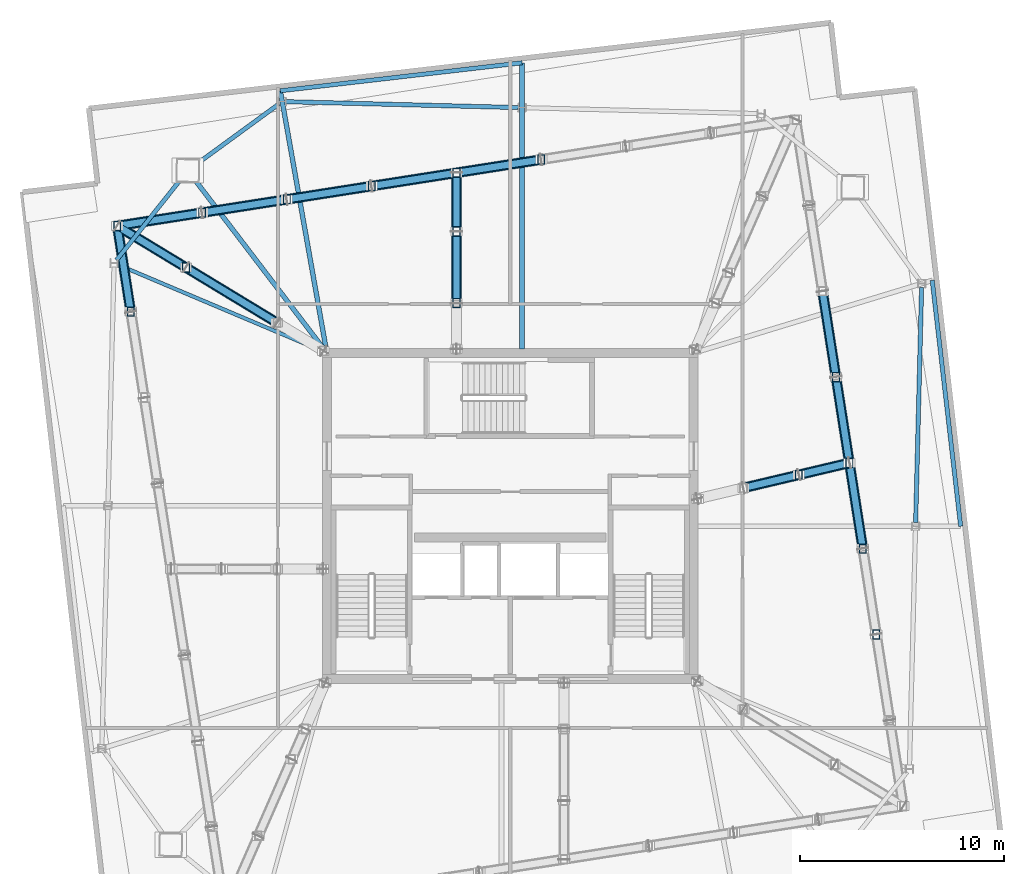
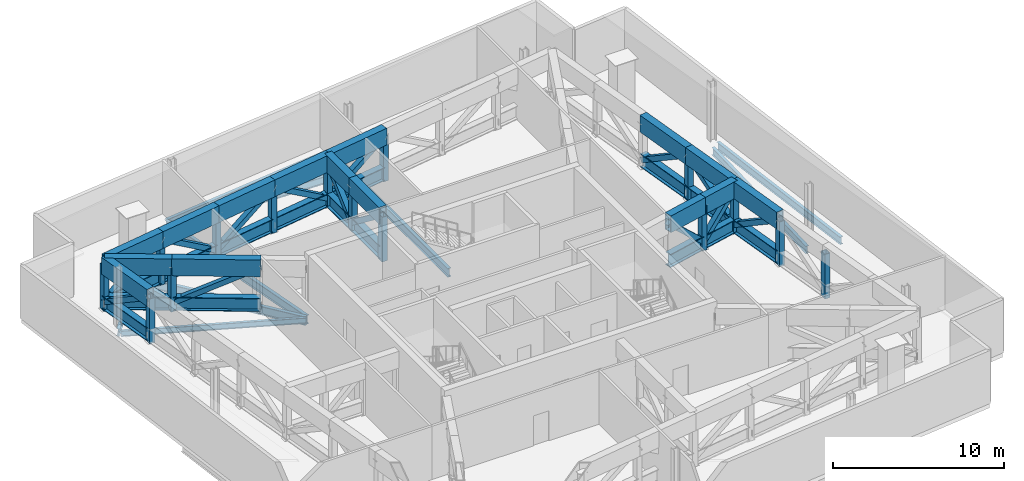
# One storey, part 3 of 13: 60 members, 10 beams.
"""IFC4 building model written with IfcOpenShell, lengths in metres."""

from ifc_helpers import new_model, si_unit, direction, frame, origin, origin_2d, place, context, subcontext, project, spatial, hollow_rectangle, i_section, extrude, material, material_profile, profile_set, type_object, element, save


model = new_model("IFC4")

# Units and contexts
model_context = context("Model", 3, precision=1e-05, world=origin(), true_north=direction((0.0, 1.0)))
body_context = subcontext(model_context, "Body", "Model", "MODEL_VIEW")
ifc_project = project(units=[si_unit("LENGTHUNIT", "METRE"), si_unit("AREAUNIT", "SQUARE_METRE"), si_unit("VOLUMEUNIT", "CUBIC_METRE"), si_unit("PLANEANGLEUNIT", "RADIAN"), si_unit("MASSUNIT", "GRAM", prefix="KILO")], contexts=[model_context])

# Site, building, storey
site_placement = place(None, origin())
site = spatial("IfcSite", under=ifc_project, at=site_placement, CompositionType="ELEMENT")
building_placement = place(site_placement, origin())
building = spatial("IfcBuilding", under=site, at=building_placement, Name="Haldenkirk Collegiate Tower", CompositionType="ELEMENT")
storey_placement = place(building_placement, frame((0.0, 0.0, 352.199951171875)))
storey = spatial("IfcBuildingStorey", under=building, at=storey_placement, Name="L89", CompositionType="ELEMENT", Elevation=352.199951171875)

# Beams
ifc_material_1 = material(Name="Steel ASTM A992 Grade 50", Category="steel")
ifc_material_profile_1 = material_profile(ifc_material_1, i_section(OverallWidth=0.22998046875, OverallDepth=0.616943359375, WebThickness=0.01318359375, FlangeThickness=0.022216796875, at=origin_2d()), Name="W24X94")
ifc_profile_set_1 = profile_set([ifc_material_profile_1], Name="Steel ASTM A992 Grade 50")
beam_type_1 = type_object("IfcBeamType", Name="BM-GIRDER-W24X94", PredefinedType="BEAM", material=ifc_profile_set_1)
beam_1_placement = place(storey_placement, frame((20.510498046875, 42.514404296875, -0.70849609375), z_axis=(0.606183308444, -0.79532496287, 0.0), x_axis=(0.79532496287, 0.606183308444, 0.0)))
element("IfcBeam", 1, at=beam_1_placement, inside=storey, type_object=beam_type_1, Name="L89 primary floor girder 03", PredefinedType="BEAM", context=body_context, shape_type="SweptSolid", body=[
    extrude(i_section(OverallWidth=0.22998046875, OverallDepth=0.616943359375, WebThickness=0.01318359375, FlangeThickness=0.022216796875, at=origin_2d()), origin(), (0.0, 0.0, 1.0), 10.50048828125),
])
beam_2_placement = place(storey_placement, frame((36.582275390625, 48.244384765625, -0.70849609375), z_axis=(0.0, -1.0, 0.0), x_axis=(1.0, 0.0, 0.0)))
element("IfcBeam", 2, at=beam_2_placement, inside=storey, type_object=beam_type_1, Name="L89 primary floor girder 09", PredefinedType="BEAM", context=body_context, shape_type="SweptSolid", body=[
    extrude(i_section(OverallWidth=0.22998046875, OverallDepth=0.616943359375, WebThickness=0.01318359375, FlangeThickness=0.022216796875, at=origin_2d()), origin(), (0.0, 0.0, 1.0), 14.039306640625),
])
beam_3_placement = place(storey_placement, frame((24.716796875, 46.871337890625, -0.70849609375), z_axis=(0.174654434819, -0.984629792561, 0.0), x_axis=(0.984629792561, 0.174654434819, 0.0)))
element("IfcBeam", 3, at=beam_3_placement, inside=storey, type_object=beam_type_1, Name="L89 primary floor girder 10", PredefinedType="BEAM", context=body_context, shape_type="SweptSolid", body=[
    extrude(i_section(OverallWidth=0.22998046875, OverallDepth=0.616943359375, WebThickness=0.01318359375, FlangeThickness=0.022216796875, at=origin_2d()), origin(), (0.0, 0.0, 1.0), 12.8671875),
])
ifc_material_profile_2 = material_profile(ifc_material_1, i_section(OverallWidth=0.177978515625, OverallDepth=0.406005859375, WebThickness=0.0078125, FlangeThickness=0.0126953125, at=origin_2d()), Name="W16X40")
ifc_profile_set_2 = profile_set([ifc_material_profile_2], Name="Steel ASTM A992 Grade 50")
beam_type_2 = type_object("IfcBeamType", Name="BM-JOIST-W16X40", PredefinedType="JOIST", material=ifc_profile_set_2)
beam_4_placement = place(storey_placement, frame((16.731201171875, 38.338623046875, -0.60302734375), z_axis=(0.92115928442, -0.389185781763, 0.0), x_axis=(0.389185781763, 0.92115928442, 0.0)))
element("IfcBeam", 4, at=beam_4_placement, inside=storey, type_object=beam_type_2, Name="L89 composite floor joist 11", PredefinedType="JOIST", context=body_context, shape_type="SweptSolid", body=[
    extrude(i_section(OverallWidth=0.177978515625, OverallDepth=0.406005859375, WebThickness=0.0078125, FlangeThickness=0.0126953125, at=origin_2d()), origin(), (0.0, 0.0, 1.0), 10.94287109375),
])
ifc_material_profile_3 = material_profile(ifc_material_1, i_section(OverallWidth=0.2099609375, OverallDepth=0.537109375, WebThickness=0.010986328125, FlangeThickness=0.017333984375, at=origin_2d()), Name="W21X68")
ifc_profile_set_3 = profile_set([ifc_material_profile_3], Name="Steel ASTM A992 Grade 50")
beam_type_3 = type_object("IfcBeamType", Name="BM-SPANDREL-W21X68", PredefinedType="SPANDREL", material=ifc_profile_set_3)
beam_5_placement = place(storey_placement, frame((55.8984375, 25.684326171875, -0.66845703125), z_axis=(0.025302458902, 0.999679841536, 0.0), x_axis=(-0.999679841536, 0.025302458902, 0.0)))
element("IfcBeam", 5, at=beam_5_placement, inside=storey, type_object=beam_type_3, Name="L89 perimeter spandrel beam 03", PredefinedType="SPANDREL", context=body_context, shape_type="SweptSolid", body=[
    extrude(i_section(OverallWidth=0.2099609375, OverallDepth=0.537109375, WebThickness=0.010986328125, FlangeThickness=0.017333984375, at=origin_2d()), origin(), (0.0, 0.0, 1.0), 11.5400390625),
])
beam_6_placement = place(storey_placement, frame((36.394287109375, 46.04638671875, -0.66845703125), z_axis=(-0.999680042221, 0.02529452876, 0.0), x_axis=(-0.02529452876, -0.999680042221, 0.0)))
element("IfcBeam", 6, at=beam_6_placement, inside=storey, type_object=beam_type_3, Name="L89 perimeter spandrel beam 07", PredefinedType="SPANDREL", context=body_context, shape_type="SweptSolid", body=[
    extrude(i_section(OverallWidth=0.2099609375, OverallDepth=0.537109375, WebThickness=0.010986328125, FlangeThickness=0.017333984375, at=origin_2d()), origin(), (0.0, 0.0, 1.0), 11.39892578125),
])
beam_7_placement = place(storey_placement, frame((24.6591796875, 46.228759765625, -0.66845703125), z_axis=(-0.807792834001, -0.589466485338, 0.0), x_axis=(0.589466485338, -0.807792834001, 0.0)))
element("IfcBeam", 7, at=beam_7_placement, inside=storey, type_object=beam_type_3, Name="L89 perimeter spandrel beam 08", PredefinedType="SPANDREL", context=body_context, shape_type="SweptSolid", body=[
    extrude(i_section(OverallWidth=0.2099609375, OverallDepth=0.537109375, WebThickness=0.010986328125, FlangeThickness=0.017333984375, at=origin_2d()), origin(), (0.0, 0.0, 1.0), 4.997314453125),
])
beam_8_placement = place(storey_placement, frame((19.828369140625, 42.521484375, -0.66845703125), z_axis=(-0.622694005585, -0.782465446783, 0.0), x_axis=(0.782465446783, -0.622694005585, 0.0)))
element("IfcBeam", 8, at=beam_8_placement, inside=storey, type_object=beam_type_3, Name="L89 perimeter spandrel beam 09", PredefinedType="SPANDREL", context=body_context, shape_type="SweptSolid", body=[
    extrude(i_section(OverallWidth=0.2099609375, OverallDepth=0.537109375, WebThickness=0.010986328125, FlangeThickness=0.017333984375, at=origin_2d()), origin(), (0.0, 0.0, 1.0), 5.06396484375),
])
beam_9_placement = place(storey_placement, frame((58.109375, 25.496337890625, -0.66845703125), z_axis=(-0.114933744755, 0.993373159652, 0.0), x_axis=(-0.993373159652, -0.114933744755, 0.0)))
element("IfcBeam", 9, at=beam_9_placement, inside=storey, type_object=beam_type_3, Name="L89 outer facade edge beam 1", PredefinedType="SPANDREL", context=body_context, shape_type="SweptSolid", body=[
    extrude(i_section(OverallWidth=0.2099609375, OverallDepth=0.537109375, WebThickness=0.010986328125, FlangeThickness=0.017333984375, at=origin_2d()), origin(), (0.0, 0.0, 1.0), 12.150390625),
])
beam_10_placement = place(storey_placement, frame((36.582275390625, 48.244384765625, -0.66845703125), z_axis=(-0.993371196258, -0.114950713108, 0.0), x_axis=(0.114950713108, -0.993371196258, 0.0)))
element("IfcBeam", 10, at=beam_10_placement, inside=storey, type_object=beam_type_3, Name="L89 outer facade edge beam 2", PredefinedType="SPANDREL", context=body_context, shape_type="SweptSolid", body=[
    extrude(i_section(OverallWidth=0.2099609375, OverallDepth=0.537109375, WebThickness=0.010986328125, FlangeThickness=0.017333984375, at=origin_2d()), origin(), (0.0, 0.0, 1.0), 11.944580078125),
])

# Members
ifc_material_2 = material(Name="Steel ASTM A572 Grade 50", Category="steel")
ifc_material_profile_4 = material_profile(ifc_material_2, hollow_rectangle(XDim=0.5, YDim=1.199951171875, WallThickness=0.050048828125, at=origin_2d()), Name="BOX1200X500X50")
ifc_profile_set_4 = profile_set([ifc_material_profile_4], Name="Steel ASTM A572 Grade 50")
member_type_1 = type_object("IfcMemberType", Name="MBR-CHORD-BOX1200", PredefinedType="CHORD", material=ifc_profile_set_4)
member_1_placement = place(storey_placement, frame((47.449951171875, 27.37890625, 3.199951171875), z_axis=(0.973193880048, 0.229986242711, 0.0), x_axis=(-0.229986242711, 0.973193880048, 0.0)))
element("IfcMember", 11, at=member_1_placement, inside=storey, type_object=member_type_1, Name="Outrigger Truss L89-2 top chord 2", PredefinedType="CHORD", context=body_context, shape_type="SweptSolid", body=[
    extrude(hollow_rectangle(XDim=0.5, YDim=1.199951171875, WallThickness=0.050048828125, at=origin_2d()), origin(), (0.0, 0.0, 1.0), 2.78759765625),
])
member_2_placement = place(storey_placement, frame((50.162841796875, 28.02001953125, 3.199951171875), z_axis=(0.973211075928, 0.229913465658, 0.0), x_axis=(-0.229913465658, 0.973211075928, 0.0)))
element("IfcMember", 12, at=member_2_placement, inside=storey, type_object=member_type_1, Name="Outrigger Truss L89-2 top chord 3", PredefinedType="CHORD", context=body_context, shape_type="SweptSolid", body=[
    extrude(hollow_rectangle(XDim=0.5, YDim=1.199951171875, WallThickness=0.050048828125, at=origin_2d()), origin(), (0.0, 0.0, 1.0), 2.552734375),
])
member_3_placement = place(storey_placement, frame((33.3623046875, 36.449951171875, 3.199951171875), z_axis=(0.0, 1.0, 0.0), x_axis=(-1.0, 0.0, 0.0)))
element("IfcMember", 13, at=member_3_placement, inside=storey, type_object=member_type_1, Name="Outrigger Truss L89-4 top chord 2", PredefinedType="CHORD", context=body_context, shape_type="SweptSolid", body=[
    extrude(hollow_rectangle(XDim=0.5, YDim=1.199951171875, WallThickness=0.050048828125, at=origin_2d()), origin(), (0.0, 0.0, 1.0), 3.51318359375),
])
member_4_placement = place(storey_placement, frame((33.3623046875, 39.963134765625, 3.199951171875), z_axis=(0.0, 1.0, 0.0), x_axis=(-1.0, 0.0, 0.0)))
element("IfcMember", 14, at=member_4_placement, inside=storey, type_object=member_type_1, Name="Outrigger Truss L89-4 top chord 3", PredefinedType="CHORD", context=body_context, shape_type="SweptSolid", body=[
    extrude(hollow_rectangle(XDim=0.5, YDim=1.199951171875, WallThickness=0.050048828125, at=origin_2d()), origin(), (0.0, 0.0, 1.0), 2.881591796875),
])
member_5_placement = place(storey_placement, frame((24.550048828125, 35.48583984375, 3.199951171875), z_axis=(-0.855023784743, 0.51858878461, 0.0), x_axis=(-0.51858878461, -0.855023784743, 0.0)))
element("IfcMember", 15, at=member_5_placement, inside=storey, type_object=member_type_1, Name="Outrigger Truss L89-5 top chord 2", PredefinedType="CHORD", context=body_context, shape_type="SweptSolid", body=[
    extrude(hollow_rectangle(XDim=0.5, YDim=1.199951171875, WallThickness=0.050048828125, at=origin_2d()), origin(), (0.0, 0.0, 1.0), 5.220458984375),
])
member_6_placement = place(storey_placement, frame((20.08642578125, 38.193115234375, 3.199951171875), z_axis=(-0.85503561171, 0.518569284385, 0.0), x_axis=(-0.518569284385, -0.85503561171, 0.0)))
element("IfcMember", 16, at=member_6_placement, inside=storey, type_object=member_type_1, Name="Outrigger Truss L89-5 top chord 3", PredefinedType="CHORD", context=body_context, shape_type="SweptSolid", body=[
    extrude(hollow_rectangle(XDim=0.5, YDim=1.199951171875, WallThickness=0.050048828125, at=origin_2d()), origin(), (0.0, 0.0, 1.0), 3.94287109375),
])
for number, where, z_axis, x_axis, name in (
    (17, (53.306640625, 24.395751953125, 3.199951171875), (-0.154703604037, 0.987960927819, 0.0), (-0.987960927819, -0.154703604037, 0.0), "Belt Truss L89-1 top chord 4"),
    (18, (52.647216796875, 28.60693359375, 3.199951171875), (-0.154703604037, 0.987960927819, 0.0), (-0.987960927819, -0.154703604037, 0.0), "Belt Truss L89-2 top chord 1"),
    (19, (51.98779296875, 32.818115234375, 3.199951171875), (-0.154759508904, 0.987952172124, 0.0), (-0.987952172124, -0.154759508904, 0.0), "Belt Truss L89-2 top chord 2"),
):
    element("IfcMember", number, at=place(storey_placement, frame(where, z_axis=z_axis, x_axis=x_axis)), inside=storey, type_object=member_type_1, Name=name, PredefinedType="CHORD", context=body_context, shape_type="SweptSolid", body=[
        extrude(hollow_rectangle(XDim=0.5, YDim=1.199951171875, WallThickness=0.050048828125, at=origin_2d()), origin(), (0.0, 0.0, 1.0), 4.262451171875),
    ])
member_7_placement = place(storey_placement, frame((37.52392578125, 43.496337890625, 3.199951171875), z_axis=(-0.987962809958, -0.154691583936, 0.0), x_axis=(0.154691583936, -0.987962809958, 0.0)))
element("IfcMember", 20, at=member_7_placement, inside=storey, type_object=member_type_1, Name="Belt Truss L89-3 top chord 4", PredefinedType="CHORD", context=body_context, shape_type="SweptSolid", body=[
    extrude(hollow_rectangle(XDim=0.5, YDim=1.199951171875, WallThickness=0.050048828125, at=origin_2d()), origin(), (0.0, 0.0, 1.0), 4.21240234375),
])
member_8_placement = place(storey_placement, frame((33.3623046875, 42.8447265625, 3.199951171875), z_axis=(-0.987964196759, -0.154682726647, 0.0), x_axis=(0.154682726647, -0.987964196759, 0.0)))
element("IfcMember", 21, at=member_8_placement, inside=storey, type_object=member_type_1, Name="Belt Truss L89-4 top chord 1", PredefinedType="CHORD", context=body_context, shape_type="SweptSolid", body=[
    extrude(hollow_rectangle(XDim=0.5, YDim=1.199951171875, WallThickness=0.050048828125, at=origin_2d()), origin(), (0.0, 0.0, 1.0), 4.212646484375),
])
member_9_placement = place(storey_placement, frame((29.200439453125, 42.193115234375, 3.199951171875), z_axis=(-0.987953950627, -0.154748154885, 0.0), x_axis=(0.154748154885, -0.987953950627, 0.0)))
element("IfcMember", 22, at=member_9_placement, inside=storey, type_object=member_type_1, Name="Belt Truss L89-4 top chord 2", PredefinedType="CHORD", context=body_context, shape_type="SweptSolid", body=[
    extrude(hollow_rectangle(XDim=0.5, YDim=1.199951171875, WallThickness=0.050048828125, at=origin_2d()), origin(), (0.0, 0.0, 1.0), 4.21240234375),
])
for number, where, z_axis, x_axis, name in (
    (23, (25.038818359375, 41.541259765625, 3.199951171875), (-0.98795533843, -0.154739294516, 0.0), (0.154739294516, -0.98795533843, 0.0), "Belt Truss L89-4 top chord 3"),
    (24, (20.876953125, 40.889404296875, 3.199951171875), (-0.987964196759, -0.154682726647, 0.0), (0.154682726647, -0.987964196759, 0.0), "Belt Truss L89-4 top chord 4"),
):
    element("IfcMember", number, at=place(storey_placement, frame(where, z_axis=z_axis, x_axis=x_axis)), inside=storey, type_object=member_type_1, Name=name, PredefinedType="CHORD", context=body_context, shape_type="SweptSolid", body=[
        extrude(hollow_rectangle(XDim=0.5, YDim=1.199951171875, WallThickness=0.050048828125, at=origin_2d()), origin(), (0.0, 0.0, 1.0), 4.212646484375),
    ])
member_10_placement = place(storey_placement, frame((16.715087890625, 40.23779296875, 3.199951171875), z_axis=(0.154703604037, -0.987960927819, 0.0), x_axis=(0.987960927819, 0.154703604037, 0.0)))
element("IfcMember", 25, at=member_10_placement, inside=storey, type_object=member_type_1, Name="Belt Truss L89-5 top chord 1", PredefinedType="CHORD", context=body_context, shape_type="SweptSolid", body=[
    extrude(hollow_rectangle(XDim=0.5, YDim=1.199951171875, WallThickness=0.050048828125, at=origin_2d()), origin(), (0.0, 0.0, 1.0), 4.262451171875),
])
ifc_material_3 = material(Name="Steel ASTM A913 Grade 65", Category="steel")
ifc_material_profile_5 = material_profile(ifc_material_3, i_section(OverallWidth=0.423095703125, OverallDepth=0.947998046875, WebThickness=0.02392578125, FlangeThickness=0.042724609375, at=origin_2d()), Name="W36X302")
ifc_profile_set_5 = profile_set([ifc_material_profile_5], Name="Steel ASTM A913 Grade 65")
member_type_2 = type_object("IfcMemberType", Name="MBR-CHORD-W36X302", PredefinedType="CHORD", material=ifc_profile_set_5)
member_11_placement = place(storey_placement, frame((47.449951171875, 27.37890625, 0.550048828125), z_axis=(0.973193880048, 0.229986242711, 0.0), x_axis=(-0.229986242711, 0.973193880048, 0.0)))
element("IfcMember", 26, at=member_11_placement, inside=storey, type_object=member_type_2, Name="Outrigger Truss L89-2 bottom chord 2", PredefinedType="CHORD", context=body_context, shape_type="SweptSolid", body=[
    extrude(i_section(OverallWidth=0.423095703125, OverallDepth=0.947998046875, WebThickness=0.02392578125, FlangeThickness=0.042724609375, at=origin_2d()), origin(), (0.0, 0.0, 1.0), 2.78759765625),
])
member_12_placement = place(storey_placement, frame((50.162841796875, 28.02001953125, 0.550048828125), z_axis=(0.973211075928, 0.229913465658, 0.0), x_axis=(-0.229913465658, 0.973211075928, 0.0)))
element("IfcMember", 27, at=member_12_placement, inside=storey, type_object=member_type_2, Name="Outrigger Truss L89-2 bottom chord 3", PredefinedType="CHORD", context=body_context, shape_type="SweptSolid", body=[
    extrude(i_section(OverallWidth=0.423095703125, OverallDepth=0.947998046875, WebThickness=0.02392578125, FlangeThickness=0.042724609375, at=origin_2d()), origin(), (0.0, 0.0, 1.0), 2.552734375),
])
member_13_placement = place(storey_placement, frame((33.3623046875, 36.449951171875, 0.550048828125), z_axis=(0.0, 1.0, 0.0), x_axis=(-1.0, 0.0, 0.0)))
element("IfcMember", 28, at=member_13_placement, inside=storey, type_object=member_type_2, Name="Outrigger Truss L89-4 bottom chord 2", PredefinedType="CHORD", context=body_context, shape_type="SweptSolid", body=[
    extrude(i_section(OverallWidth=0.423095703125, OverallDepth=0.947998046875, WebThickness=0.02392578125, FlangeThickness=0.042724609375, at=origin_2d()), origin(), (0.0, 0.0, 1.0), 3.51318359375),
])
member_14_placement = place(storey_placement, frame((33.3623046875, 39.963134765625, 0.550048828125), z_axis=(0.0, 1.0, 0.0), x_axis=(-1.0, 0.0, 0.0)))
element("IfcMember", 29, at=member_14_placement, inside=storey, type_object=member_type_2, Name="Outrigger Truss L89-4 bottom chord 3", PredefinedType="CHORD", context=body_context, shape_type="SweptSolid", body=[
    extrude(i_section(OverallWidth=0.423095703125, OverallDepth=0.947998046875, WebThickness=0.02392578125, FlangeThickness=0.042724609375, at=origin_2d()), origin(), (0.0, 0.0, 1.0), 2.881591796875),
])
member_15_placement = place(storey_placement, frame((24.550048828125, 35.48583984375, 0.550048828125), z_axis=(-0.855023784743, 0.51858878461, 0.0), x_axis=(-0.51858878461, -0.855023784743, 0.0)))
element("IfcMember", 30, at=member_15_placement, inside=storey, type_object=member_type_2, Name="Outrigger Truss L89-5 bottom chord 2", PredefinedType="CHORD", context=body_context, shape_type="SweptSolid", body=[
    extrude(i_section(OverallWidth=0.423095703125, OverallDepth=0.947998046875, WebThickness=0.02392578125, FlangeThickness=0.042724609375, at=origin_2d()), origin(), (0.0, 0.0, 1.0), 5.220458984375),
])
member_16_placement = place(storey_placement, frame((20.08642578125, 38.193115234375, 0.550048828125), z_axis=(-0.85503561171, 0.518569284385, 0.0), x_axis=(-0.518569284385, -0.85503561171, 0.0)))
element("IfcMember", 31, at=member_16_placement, inside=storey, type_object=member_type_2, Name="Outrigger Truss L89-5 bottom chord 3", PredefinedType="CHORD", context=body_context, shape_type="SweptSolid", body=[
    extrude(i_section(OverallWidth=0.423095703125, OverallDepth=0.947998046875, WebThickness=0.02392578125, FlangeThickness=0.042724609375, at=origin_2d()), origin(), (0.0, 0.0, 1.0), 3.94287109375),
])
for number, where, z_axis, x_axis, name in (
    (32, (53.306640625, 24.395751953125, 0.550048828125), (-0.154703604037, 0.987960927819, 0.0), (-0.987960927819, -0.154703604037, 0.0), "Belt Truss L89-1 bottom chord 4"),
    (33, (52.647216796875, 28.60693359375, 0.550048828125), (-0.154703604037, 0.987960927819, 0.0), (-0.987960927819, -0.154703604037, 0.0), "Belt Truss L89-2 bottom chord 1"),
    (34, (51.98779296875, 32.818115234375, 0.550048828125), (-0.154759508904, 0.987952172124, 0.0), (-0.987952172124, -0.154759508904, 0.0), "Belt Truss L89-2 bottom chord 2"),
):
    element("IfcMember", number, at=place(storey_placement, frame(where, z_axis=z_axis, x_axis=x_axis)), inside=storey, type_object=member_type_2, Name=name, PredefinedType="CHORD", context=body_context, shape_type="SweptSolid", body=[
        extrude(i_section(OverallWidth=0.423095703125, OverallDepth=0.947998046875, WebThickness=0.02392578125, FlangeThickness=0.042724609375, at=origin_2d()), origin(), (0.0, 0.0, 1.0), 4.262451171875),
    ])
member_17_placement = place(storey_placement, frame((37.52392578125, 43.496337890625, 0.550048828125), z_axis=(-0.987962809958, -0.154691583936, 0.0), x_axis=(0.154691583936, -0.987962809958, 0.0)))
element("IfcMember", 35, at=member_17_placement, inside=storey, type_object=member_type_2, Name="Belt Truss L89-3 bottom chord 4", PredefinedType="CHORD", context=body_context, shape_type="SweptSolid", body=[
    extrude(i_section(OverallWidth=0.423095703125, OverallDepth=0.947998046875, WebThickness=0.02392578125, FlangeThickness=0.042724609375, at=origin_2d()), origin(), (0.0, 0.0, 1.0), 4.21240234375),
])
member_18_placement = place(storey_placement, frame((33.3623046875, 42.8447265625, 0.550048828125), z_axis=(-0.987964196759, -0.154682726647, 0.0), x_axis=(0.154682726647, -0.987964196759, 0.0)))
element("IfcMember", 36, at=member_18_placement, inside=storey, type_object=member_type_2, Name="Belt Truss L89-4 bottom chord 1", PredefinedType="CHORD", context=body_context, shape_type="SweptSolid", body=[
    extrude(i_section(OverallWidth=0.423095703125, OverallDepth=0.947998046875, WebThickness=0.02392578125, FlangeThickness=0.042724609375, at=origin_2d()), origin(), (0.0, 0.0, 1.0), 4.212646484375),
])
member_19_placement = place(storey_placement, frame((29.200439453125, 42.193115234375, 0.550048828125), z_axis=(-0.987953950627, -0.154748154885, 0.0), x_axis=(0.154748154885, -0.987953950627, 0.0)))
element("IfcMember", 37, at=member_19_placement, inside=storey, type_object=member_type_2, Name="Belt Truss L89-4 bottom chord 2", PredefinedType="CHORD", context=body_context, shape_type="SweptSolid", body=[
    extrude(i_section(OverallWidth=0.423095703125, OverallDepth=0.947998046875, WebThickness=0.02392578125, FlangeThickness=0.042724609375, at=origin_2d()), origin(), (0.0, 0.0, 1.0), 4.21240234375),
])
for number, where, z_axis, x_axis, name in (
    (38, (25.038818359375, 41.541259765625, 0.550048828125), (-0.98795533843, -0.154739294516, 0.0), (0.154739294516, -0.98795533843, 0.0), "Belt Truss L89-4 bottom chord 3"),
    (39, (20.876953125, 40.889404296875, 0.550048828125), (-0.987964196759, -0.154682726647, 0.0), (0.154682726647, -0.987964196759, 0.0), "Belt Truss L89-4 bottom chord 4"),
):
    element("IfcMember", number, at=place(storey_placement, frame(where, z_axis=z_axis, x_axis=x_axis)), inside=storey, type_object=member_type_2, Name=name, PredefinedType="CHORD", context=body_context, shape_type="SweptSolid", body=[
        extrude(i_section(OverallWidth=0.423095703125, OverallDepth=0.947998046875, WebThickness=0.02392578125, FlangeThickness=0.042724609375, at=origin_2d()), origin(), (0.0, 0.0, 1.0), 4.212646484375),
    ])
member_20_placement = place(storey_placement, frame((16.715087890625, 40.23779296875, 0.550048828125), z_axis=(0.154703604037, -0.987960927819, 0.0), x_axis=(0.987960927819, 0.154703604037, 0.0)))
element("IfcMember", 40, at=member_20_placement, inside=storey, type_object=member_type_2, Name="Belt Truss L89-5 bottom chord 1", PredefinedType="CHORD", context=body_context, shape_type="SweptSolid", body=[
    extrude(i_section(OverallWidth=0.423095703125, OverallDepth=0.947998046875, WebThickness=0.02392578125, FlangeThickness=0.042724609375, at=origin_2d()), origin(), (0.0, 0.0, 1.0), 4.262451171875),
])
ifc_material_profile_6 = material_profile(ifc_material_2, hollow_rectangle(XDim=0.35009765625, YDim=0.35009765625, WallThickness=0.01611328125, at=origin_2d()), Name="HSS350X350X16")
ifc_profile_set_6 = profile_set([ifc_material_profile_6], Name="Steel ASTM A572 Grade 50")
member_type_3 = type_object("IfcMemberType", Name="MBR-TRUSSDIAG-HSS350X350X16", PredefinedType="BRACE", material=ifc_profile_set_6)
member_21_placement = place(storey_placement, frame((47.449951171875, 27.37890625, 3.199951171875), z_axis=(0.705354308849, 0.166690102145, -0.688977291959), x_axis=(-0.229986242711, 0.973193880048, 0.0)))
element("IfcMember", 41, at=member_21_placement, inside=storey, type_object=member_type_3, Name="Outrigger Truss L89-2 web diagonal 2", PredefinedType="BRACE", context=body_context, shape_type="SweptSolid", body=[
    extrude(hollow_rectangle(XDim=0.35009765625, YDim=0.35009765625, WallThickness=0.01611328125, at=origin_2d()), origin(), (0.0, 0.0, 1.0), 3.84619140625),
])
member_22_placement = place(storey_placement, frame((50.162841796875, 28.02001953125, 0.550048828125), z_axis=(0.675197394813, 0.159510076369, 0.72018401369), x_axis=(-0.229913465658, 0.973211075928, 0.0)))
element("IfcMember", 42, at=member_22_placement, inside=storey, type_object=member_type_3, Name="Outrigger Truss L89-2 web diagonal 3", PredefinedType="BRACE", context=body_context, shape_type="SweptSolid", body=[
    extrude(hollow_rectangle(XDim=0.35009765625, YDim=0.35009765625, WallThickness=0.01611328125, at=origin_2d()), origin(), (0.0, 0.0, 1.0), 3.679443359375),
])
member_23_placement = place(storey_placement, frame((33.3623046875, 36.449951171875, 3.199951171875), z_axis=(0.0, 0.798359245861, -0.602181463139), x_axis=(-1.0, 0.0, 0.0)))
element("IfcMember", 43, at=member_23_placement, inside=storey, type_object=member_type_3, Name="Outrigger Truss L89-4 web diagonal 2", PredefinedType="BRACE", context=body_context, shape_type="SweptSolid", body=[
    extrude(hollow_rectangle(XDim=0.35009765625, YDim=0.35009765625, WallThickness=0.01611328125, at=origin_2d()), origin(), (0.0, 0.0, 1.0), 4.400390625),
])
member_24_placement = place(storey_placement, frame((33.3623046875, 39.963134765625, 0.550048828125), z_axis=(0.0, 0.736078905364, 0.676895741661), x_axis=(-1.0, 0.0, 0.0)))
element("IfcMember", 44, at=member_24_placement, inside=storey, type_object=member_type_3, Name="Outrigger Truss L89-4 web diagonal 3", PredefinedType="BRACE", context=body_context, shape_type="SweptSolid", body=[
    extrude(hollow_rectangle(XDim=0.35009765625, YDim=0.35009765625, WallThickness=0.01611328125, at=origin_2d()), origin(), (0.0, 0.0, 1.0), 3.914794921875),
])
member_25_placement = place(storey_placement, frame((24.550048828125, 35.48583984375, 3.199951171875), z_axis=(-0.762425082783, 0.462425846031, -0.452626037769), x_axis=(-0.51858878461, -0.855023784743, 0.0)))
element("IfcMember", 45, at=member_25_placement, inside=storey, type_object=member_type_3, Name="Outrigger Truss L89-5 web diagonal 2", PredefinedType="BRACE", context=body_context, shape_type="SweptSolid", body=[
    extrude(hollow_rectangle(XDim=0.35009765625, YDim=0.35009765625, WallThickness=0.01611328125, at=origin_2d()), origin(), (0.0, 0.0, 1.0), 5.8544921875),
])
member_26_placement = place(storey_placement, frame((20.08642578125, 38.193115234375, 0.550048828125), z_axis=(-0.709659284212, 0.43040021039, 0.557798672666), x_axis=(-0.518569284385, -0.85503561171, 0.0)))
element("IfcMember", 46, at=member_26_placement, inside=storey, type_object=member_type_3, Name="Outrigger Truss L89-5 web diagonal 3", PredefinedType="BRACE", context=body_context, shape_type="SweptSolid", body=[
    extrude(hollow_rectangle(XDim=0.35009765625, YDim=0.35009765625, WallThickness=0.01611328125, at=origin_2d()), origin(), (0.0, 0.0, 1.0), 4.750732421875),
])
for number, where, z_axis, x_axis, name in (
    (47, (53.306640625, 24.395751953125, 3.199951171875), (-0.131384165452, 0.83903941869, -0.527968801117), (-0.987960927819, -0.154703604037, 0.0), "Belt Truss L89-1 web diagonal 4"),
    (48, (52.647216796875, 28.60693359375, 0.550048828125), (-0.131384165452, 0.83903941869, 0.527968801117), (-0.987960927819, -0.154703604037, 0.0), "Belt Truss L89-2 web diagonal 1"),
    (49, (51.98779296875, 32.818115234375, 3.199951171875), (-0.131431968118, 0.839034055539, -0.527965426333), (-0.987952172124, -0.154759508904, 0.0), "Belt Truss L89-2 web diagonal 2"),
):
    element("IfcMember", number, at=place(storey_placement, frame(where, z_axis=z_axis, x_axis=x_axis)), inside=storey, type_object=member_type_3, Name=name, PredefinedType="BRACE", context=body_context, shape_type="SweptSolid", body=[
        extrude(hollow_rectangle(XDim=0.35009765625, YDim=0.35009765625, WallThickness=0.01611328125, at=origin_2d()), origin(), (0.0, 0.0, 1.0), 5.01904296875),
    ])
member_27_placement = place(storey_placement, frame((37.52392578125, 43.496337890625, 3.199951171875), z_axis=(-0.836252629414, -0.130937361722, -0.532481874907), x_axis=(0.154691583936, -0.987962809958, 0.0)))
element("IfcMember", 50, at=member_27_placement, inside=storey, type_object=member_type_3, Name="Belt Truss L89-3 web diagonal 4", PredefinedType="BRACE", context=body_context, shape_type="SweptSolid", body=[
    extrude(hollow_rectangle(XDim=0.35009765625, YDim=0.35009765625, WallThickness=0.01611328125, at=origin_2d()), origin(), (0.0, 0.0, 1.0), 4.9765625),
])
member_28_placement = place(storey_placement, frame((33.3623046875, 42.8447265625, 0.550048828125), z_axis=(-0.836267379517, -0.130931990141, 0.532460030344), x_axis=(0.154682726647, -0.987964196759, 0.0)))
element("IfcMember", 51, at=member_28_placement, inside=storey, type_object=member_type_3, Name="Belt Truss L89-4 web diagonal 1", PredefinedType="BRACE", context=body_context, shape_type="SweptSolid", body=[
    extrude(hollow_rectangle(XDim=0.35009765625, YDim=0.35009765625, WallThickness=0.01611328125, at=origin_2d()), origin(), (0.0, 0.0, 1.0), 4.976806640625),
])
member_29_placement = place(storey_placement, frame((29.200439453125, 42.193115234375, 3.199951171875), z_axis=(-0.836247256705, -0.130985578752, -0.532478453847), x_axis=(0.154748154885, -0.987953950627, 0.0)))
element("IfcMember", 52, at=member_29_placement, inside=storey, type_object=member_type_3, Name="Belt Truss L89-4 web diagonal 2", PredefinedType="BRACE", context=body_context, shape_type="SweptSolid", body=[
    extrude(hollow_rectangle(XDim=0.35009765625, YDim=0.35009765625, WallThickness=0.01611328125, at=origin_2d()), origin(), (0.0, 0.0, 1.0), 4.9765625),
])
for number, where, z_axis, x_axis, name in (
    (53, (25.038818359375, 41.541259765625, 0.550048828125), (-0.836262007155, -0.130980205262, 0.532456609706), (0.154739294516, -0.98795533843, 0.0), "Belt Truss L89-4 web diagonal 3"),
    (54, (20.876953125, 40.889404296875, 3.199951171875), (-0.836267379517, -0.130931990141, -0.532460030344), (0.154682726647, -0.987964196759, 0.0), "Belt Truss L89-4 web diagonal 4"),
):
    element("IfcMember", number, at=place(storey_placement, frame(where, z_axis=z_axis, x_axis=x_axis)), inside=storey, type_object=member_type_3, Name=name, PredefinedType="BRACE", context=body_context, shape_type="SweptSolid", body=[
        extrude(hollow_rectangle(XDim=0.35009765625, YDim=0.35009765625, WallThickness=0.01611328125, at=origin_2d()), origin(), (0.0, 0.0, 1.0), 4.976806640625),
    ])
member_30_placement = place(storey_placement, frame((16.715087890625, 40.23779296875, 0.550048828125), z_axis=(0.131384165452, -0.83903941869, 0.527968801117), x_axis=(0.987960927819, 0.154703604037, 0.0)))
element("IfcMember", 55, at=member_30_placement, inside=storey, type_object=member_type_3, Name="Belt Truss L89-5 web diagonal 1", PredefinedType="BRACE", context=body_context, shape_type="SweptSolid", body=[
    extrude(hollow_rectangle(XDim=0.35009765625, YDim=0.35009765625, WallThickness=0.01611328125, at=origin_2d()), origin(), (0.0, 0.0, 1.0), 5.01904296875),
])
ifc_material_profile_7 = material_profile(ifc_material_2, hollow_rectangle(XDim=0.35009765625, YDim=0.449951171875, WallThickness=0.02197265625, at=origin_2d()), Name="HSS450X350X22")
ifc_profile_set_7 = profile_set([ifc_material_profile_7], Name="Steel ASTM A572 Grade 50")
member_type_4 = type_object("IfcMemberType", Name="MBR-TRUSSPOST-HSS450X350X22", PredefinedType="POST", material=ifc_profile_set_7)
for number, where, z_axis, x_axis, name in (
    (56, (50.162841796875, 28.02001953125, 0.0), (0.0, 0.0, 1.0), (1.0, 0.0, 0.0), "Outrigger Truss L89-2 vertical post 3"),
    (57, (52.647216796875, 28.60693359375, 0.0), (0.0, 0.0, 1.0), (1.0, 0.0, 0.0), "Outrigger Truss L89-2 vertical post 4"),
    (58, (33.3623046875, 36.449951171875, 0.0), (0.0, 0.0, 1.0), (1.0, 0.0, 0.0), "Outrigger Truss L89-4 vertical post 2"),
    (59, (33.3623046875, 39.963134765625, 0.0), (0.0, 0.0, 1.0), (1.0, 0.0, 0.0), "Outrigger Truss L89-4 vertical post 3"),
    (60, (33.3623046875, 42.8447265625, 0.0), (0.0, 0.0, 1.0), (1.0, 0.0, 0.0), "Outrigger Truss L89-4 vertical post 4"),
    (61, (20.08642578125, 38.193115234375, 0.0), (0.0, 0.0, 1.0), (1.0, 0.0, 0.0), "Outrigger Truss L89-5 vertical post 3"),
    (62, (16.715087890625, 40.23779296875, 0.0), (0.0, 0.0, 1.0), (1.0, 0.0, 0.0), "Outrigger Truss L89-5 vertical post 4"),
    (63, (53.966064453125, 20.1845703125, 0.0), (0.0, 0.0, 1.0), (1.0, 0.0, 0.0), "Belt Truss L89-1 vertical post 3"),
    (64, (53.306640625, 24.395751953125, 0.0), (0.0, 0.0, 1.0), (1.0, 0.0, 0.0), "Belt Truss L89-1 vertical post 4"),
    (65, (51.98779296875, 32.818115234375, 0.0), (0.0, 0.0, 1.0), (1.0, 0.0, 0.0), "Belt Truss L89-2 vertical post 2"),
    (66, (37.52392578125, 43.496337890625, 0.0), (0.0, 0.0, 1.0), (1.0, 0.0, 0.0), "Belt Truss L89-3 vertical post 4"),
    (67, (29.200439453125, 42.193115234375, 0.0), (0.0, 0.0, 1.0), (1.0, 0.0, 0.0), "Belt Truss L89-4 vertical post 2"),
    (68, (25.038818359375, 41.541259765625, 0.0), (0.0, 0.0, 1.0), (1.0, 0.0, 0.0), "Belt Truss L89-4 vertical post 3"),
    (69, (20.876953125, 40.889404296875, 0.0), (0.0, 0.0, 1.0), (1.0, 0.0, 0.0), "Belt Truss L89-4 vertical post 4"),
    (70, (17.37451171875, 36.026611328125, 0.0), (0.0, 0.0, 1.0), (1.0, 0.0, 0.0), "Belt Truss L89-5 vertical post 2"),
):
    element("IfcMember", number, at=place(storey_placement, frame(where, z_axis=z_axis, x_axis=x_axis)), inside=storey, type_object=member_type_4, Name=name, PredefinedType="POST", context=body_context, shape_type="SweptSolid", body=[
        extrude(hollow_rectangle(XDim=0.35009765625, YDim=0.449951171875, WallThickness=0.02197265625, at=origin_2d()), origin(), (0.0, 0.0, 1.0), 3.199951171875),
    ])

save(model, "model.ifc")
